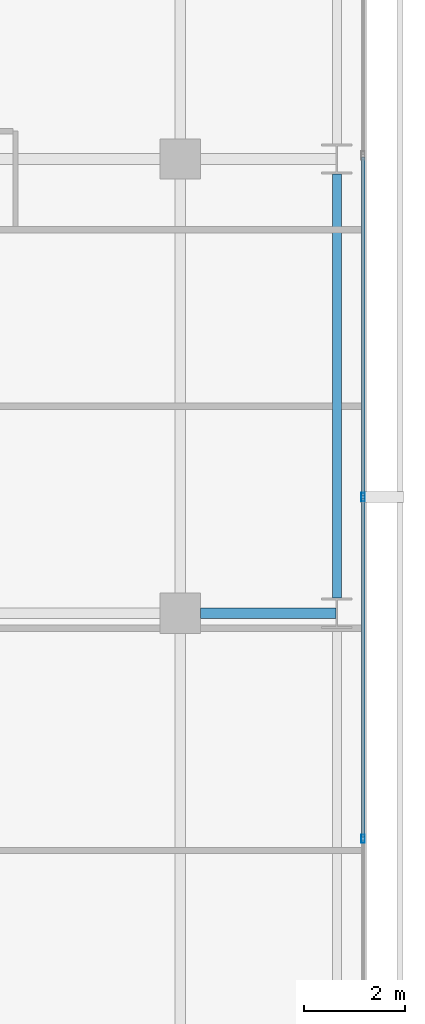
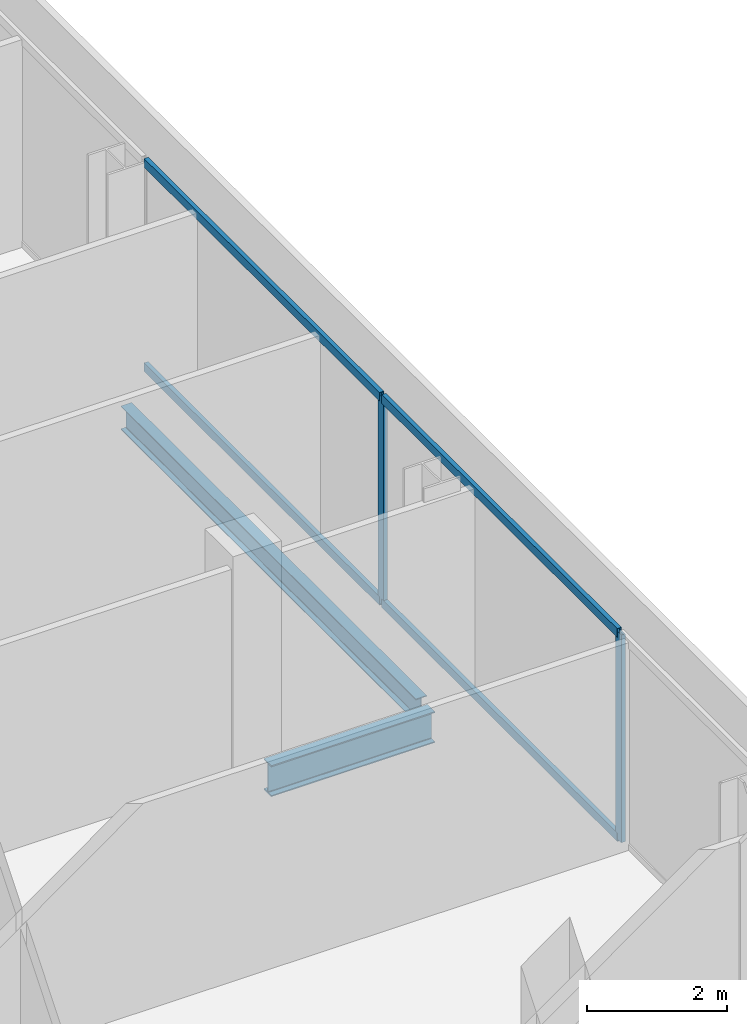
# One storey, part 17 of 34: 6 members, 2 beams, 1 element without a shape of its own.
"""IFC4 building model written with IfcOpenShell, lengths in metres."""

from ifc_helpers import new_model, si_unit, direction, frame, origin, origin_2d, place, context, subcontext, project, spatial, hollow_rectangle, i_section, extrude, material, layer, layer_set, material_profile, profile_set, type_object, element, aggregate, save


model = new_model("IFC4")

# Units and contexts
model_context = context("Model", 3, precision=1e-05, world=origin(), true_north=direction((0.0, 1.0)))
body_context = subcontext(model_context, "Body", "Model", "MODEL_VIEW")
ifc_project = project(units=[si_unit("LENGTHUNIT", "METRE"), si_unit("AREAUNIT", "SQUARE_METRE"), si_unit("VOLUMEUNIT", "CUBIC_METRE"), si_unit("PLANEANGLEUNIT", "RADIAN"), si_unit("MASSUNIT", "GRAM", prefix="KILO")], contexts=[model_context])

# Site, building, storey
site_placement = place(None, origin())
site = spatial("IfcSite", under=ifc_project, at=site_placement, CompositionType="ELEMENT")
building_placement = place(site_placement, origin())
building = spatial("IfcBuilding", under=site, at=building_placement, Name="Maruvema Waterfront Hotel and Observation Tower", CompositionType="ELEMENT")
storey_placement = place(building_placement, frame((0.0, 0.0, 212.10009765625)))
storey = spatial("IfcBuildingStorey", under=building, at=storey_placement, Name="L52", CompositionType="ELEMENT", Elevation=212.10009765625)

# Curtain wall, members
ifc_material_1 = material(Name="Anodised bronze aluminium and solar-control low-E IGU", Category="aluminium")
ifc_layer = layer(ifc_material_1, 0.159912109375, Name="Zone 2 Amber Inner Thermal Curtain Wall System CW-03")
ifc_layer_set = layer_set([ifc_layer], Name="Anodised bronze aluminium and solar-control low-E IGU")
curtain_wall_type = type_object("IfcCurtainWallType", Name="Zone 2 Amber Inner Thermal Curtain Wall System CW-03", PredefinedType="USERDEFINED", material=ifc_layer_set)
curtain_wall_placement = place(storey_placement, origin())
curtain_wall = element("IfcCurtainWall", 1, at=curtain_wall_placement, inside=storey, type_object=curtain_wall_type, Name="L52 Curtain Wall CW-L52-E", ObjectType="UNITISED CURTAIN WALL", PredefinedType="USERDEFINED")
ifc_material_2 = material(Name="Anodised architectural bronze aluminium", Category="aluminium")
ifc_material_profile_1 = material_profile(ifc_material_2, hollow_rectangle(XDim=0.070068359375, YDim=0.14990234375, WallThickness=0.00390625, at=origin_2d()), Name="ALU-T70x150")
ifc_profile_set_1 = profile_set([ifc_material_profile_1], Name="Anodised architectural bronze aluminium")
member_type_1 = type_object("IfcMemberType", Name="Curtain Wall Horizontal Transom ALU-T70x150", PredefinedType="USERDEFINED", material=ifc_profile_set_1)
member_1_placement = place(storey_placement, frame((62.419921875, 22.563232421875, 0.02978515625), z_axis=(0.0, 1.0, 0.0), x_axis=(-1.0, 0.0, 0.0)))
member_1 = element("IfcMember", 2, at=member_1_placement, type_object=member_type_1, Name="CW-03 transom 3.1", ObjectType="TRANSOM", PredefinedType="USERDEFINED", context=body_context, shape_type="SweptSolid", body=[
    extrude(hollow_rectangle(XDim=0.070068359375, YDim=0.14990234375, WallThickness=0.00390625, at=origin_2d()), origin(), (0.0, 0.0, 1.0), 6.706787109375),
])
member_2_placement = place(storey_placement, frame((62.419921875, 22.563232421875, 3.579833984375), z_axis=(0.0, 1.0, 0.0), x_axis=(-1.0, 0.0, 0.0)))
member_2 = element("IfcMember", 3, at=member_2_placement, type_object=member_type_1, Name="CW-03 transom 3.2", ObjectType="TRANSOM", PredefinedType="USERDEFINED", context=body_context, shape_type="SweptSolid", body=[
    extrude(hollow_rectangle(XDim=0.070068359375, YDim=0.14990234375, WallThickness=0.00390625, at=origin_2d()), origin(), (0.0, 0.0, 1.0), 6.706787109375),
])
member_3_placement = place(storey_placement, frame((62.419921875, 29.330078125, 0.02978515625), z_axis=(0.0, 1.0, 0.0), x_axis=(-1.0, 0.0, 0.0)))
member_3 = element("IfcMember", 4, at=member_3_placement, type_object=member_type_1, Name="CW-03 transom 4.1", ObjectType="TRANSOM", PredefinedType="USERDEFINED", context=body_context, shape_type="SweptSolid", body=[
    extrude(hollow_rectangle(XDim=0.070068359375, YDim=0.14990234375, WallThickness=0.00390625, at=origin_2d()), origin(), (0.0, 0.0, 1.0), 6.70654296875),
])
member_4_placement = place(storey_placement, frame((62.419921875, 29.330078125, 3.579833984375), z_axis=(0.0, 1.0, 0.0), x_axis=(-1.0, 0.0, 0.0)))
member_4 = element("IfcMember", 5, at=member_4_placement, type_object=member_type_1, Name="CW-03 transom 4.2", ObjectType="TRANSOM", PredefinedType="USERDEFINED", context=body_context, shape_type="SweptSolid", body=[
    extrude(hollow_rectangle(XDim=0.070068359375, YDim=0.14990234375, WallThickness=0.00390625, at=origin_2d()), origin(), (0.0, 0.0, 1.0), 6.70654296875),
])
ifc_material_3 = material(Name="Anodised architectural bronze aluminium", Category="aluminium")
ifc_material_profile_2 = material_profile(ifc_material_3, hollow_rectangle(XDim=0.06494140625, YDim=0.1650390625, WallThickness=0.00390625, at=origin_2d()), Name="ALU-M65x165")
ifc_profile_set_2 = profile_set([ifc_material_profile_2], Name="Anodised architectural bronze aluminium")
member_type_2 = type_object("IfcMemberType", Name="Curtain Wall Primary Mullion ALU-M65x165", PredefinedType="MULLION", material=ifc_profile_set_2)
member_5_placement = place(storey_placement, frame((62.419921875, 22.533447265625, 0.0), z_axis=(0.0, 0.0, 1.0), x_axis=(-1.0, 0.0, 0.0)))
member_5 = element("IfcMember", 6, at=member_5_placement, type_object=member_type_2, Name="CW-03 mullion 3", PredefinedType="MULLION", context=body_context, shape_type="SweptSolid", body=[
    extrude(hollow_rectangle(XDim=0.06494140625, YDim=0.1650390625, WallThickness=0.00390625, at=origin_2d()), origin(), (0.0, 0.0, 1.0), 3.60986328125),
])
member_6_placement = place(storey_placement, frame((62.419921875, 29.300048828125, 0.0), z_axis=(0.0, 0.0, 1.0), x_axis=(-1.0, 0.0, 0.0)))
member_6 = element("IfcMember", 7, at=member_6_placement, type_object=member_type_2, Name="CW-03 mullion 4", PredefinedType="MULLION", context=body_context, shape_type="SweptSolid", body=[
    extrude(hollow_rectangle(XDim=0.06494140625, YDim=0.1650390625, WallThickness=0.00390625, at=origin_2d()), origin(), (0.0, 0.0, 1.0), 3.60986328125),
])
aggregate(curtain_wall, [member_5, member_6, member_1, member_2, member_3, member_4])

# Beams
ifc_material_4 = material(Name="Steel ASTM A572 Grade 50", Category="steel")
ifc_material_profile_3 = material_profile(ifc_material_4, i_section(OverallWidth=0.178955078125, OverallDepth=0.409912109375, WebThickness=0.0087890625, FlangeThickness=0.014404296875, FilletRadius=0.014892578125, at=origin_2d()), Name="W410x67.0")
ifc_profile_set_3 = profile_set([ifc_material_profile_3], Name="Steel ASTM A572 Grade 50")
beam_type_1 = type_object("IfcBeamType", Name="Perimeter Spandrel Beam W410x67.0", PredefinedType="SPANDREL", material=ifc_profile_set_3)
beam_1_placement = place(storey_placement, frame((61.89990234375, 27.300048828125, -0.445068359375), z_axis=(0.0, 1.0, 0.0), x_axis=(-1.0, 0.0, 0.0)))
element("IfcBeam", 8, at=beam_1_placement, inside=storey, type_object=beam_type_1, Name="L52 Floor Girder NS-31", PredefinedType="SPANDREL", context=body_context, shape_type="SweptSolid", body=[
    extrude(i_section(OverallWidth=0.178955078125, OverallDepth=0.409912109375, WebThickness=0.0087890625, FlangeThickness=0.014404296875, FilletRadius=0.014892578125, at=origin_2d()), origin(), (0.0, 0.0, 1.0), 8.39990234375),
])
ifc_material_5 = material(Name="Steel ASTM A572 Grade 50", Category="steel")
ifc_material_profile_4 = material_profile(ifc_material_5, i_section(OverallWidth=0.2109375, OverallDepth=0.5390625, WebThickness=0.01171875, FlangeThickness=0.018798828125, FilletRadius=0.014892578125, at=origin_2d()), Name="W530x109.0")
ifc_profile_set_4 = profile_set([ifc_material_profile_4], Name="Steel ASTM A572 Grade 50")
beam_type_2 = type_object("IfcBeamType", Name="Primary Floor Girder W530x109.0", PredefinedType="BEAM", material=ifc_profile_set_4)
beam_2_placement = place(storey_placement, frame((59.199951171875, 27.0, -0.509521484375), z_axis=(1.0, 0.0, 0.0), x_axis=(0.0, 1.0, 0.0)))
element("IfcBeam", 9, at=beam_2_placement, inside=storey, type_object=beam_type_2, Name="L52 Floor Girder EW-22", PredefinedType="BEAM", context=body_context, shape_type="SweptSolid", body=[
    extrude(i_section(OverallWidth=0.2109375, OverallDepth=0.5390625, WebThickness=0.01171875, FlangeThickness=0.018798828125, FilletRadius=0.014892578125, at=origin_2d()), origin(), (0.0, 0.0, 1.0), 2.6875),
])

save(model, "model.ifc")
